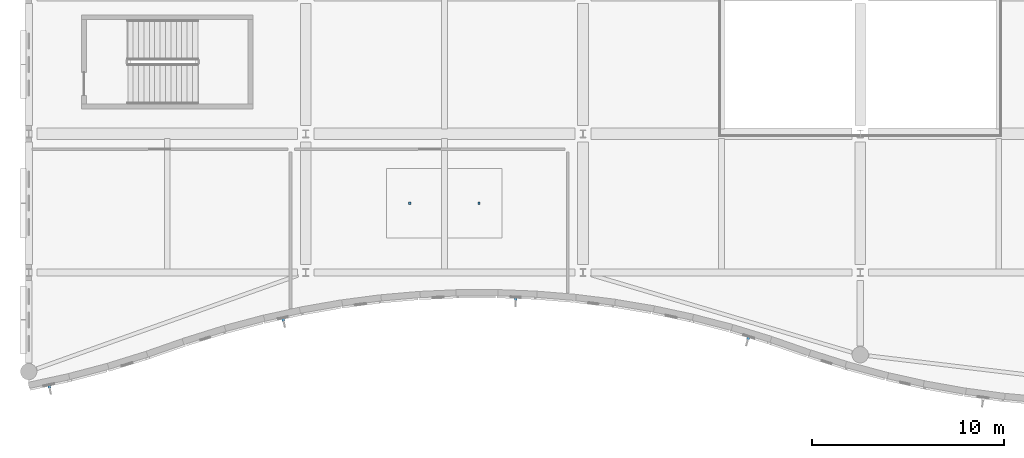
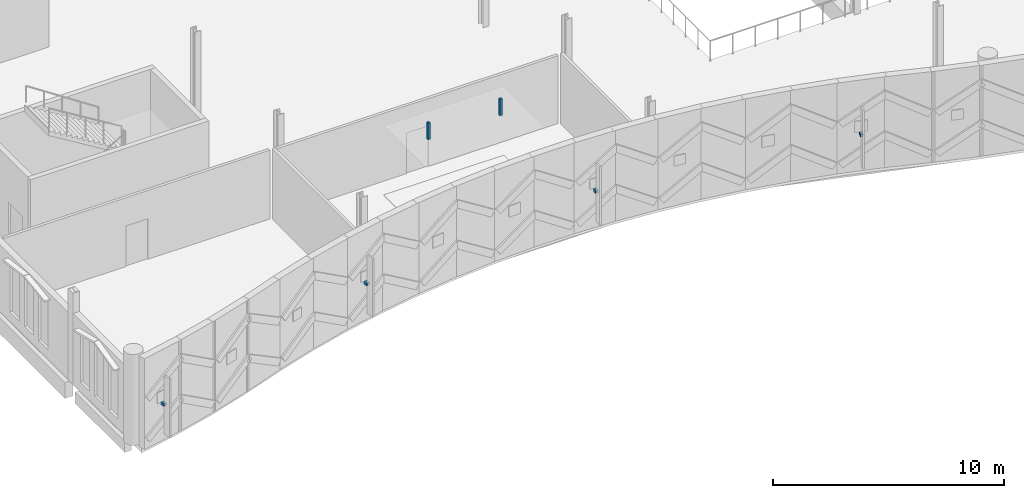
# One storey, part 173 of 220: 6 discrete accessories.
"""IFC4 building model written with IfcOpenShell, lengths in metres."""

from ifc_helpers import new_model, si_unit, direction, frame, origin, origin_2d, place, context, subcontext, project, spatial, rectangle, extrude, material, type_object, element, save


model = new_model("IFC4")

# Units and contexts
model_context = context("Model", 3, precision=1e-05, world=origin(), true_north=direction((0.0, 1.0)))
body_context = subcontext(model_context, "Body", "Model", "MODEL_VIEW")
ifc_project = project(units=[si_unit("LENGTHUNIT", "METRE"), si_unit("AREAUNIT", "SQUARE_METRE"), si_unit("VOLUMEUNIT", "CUBIC_METRE"), si_unit("PLANEANGLEUNIT", "RADIAN"), si_unit("MASSUNIT", "GRAM", prefix="KILO")], contexts=[model_context])

# Site, building, storey
site_placement = place(None, origin())
site = spatial("IfcSite", under=ifc_project, at=site_placement, CompositionType="ELEMENT")
building_placement = place(site_placement, origin())
building = spatial("IfcBuilding", under=site, at=building_placement, Name="Cendralis Lancet Convention Centre", CompositionType="ELEMENT")
storey_placement = place(building_placement, frame((0.0, 0.0, 5.39990234375)))
storey = spatial("IfcBuildingStorey", under=building, at=storey_placement, Name="L01", CompositionType="ELEMENT", Elevation=5.39990234375)

# Discrete accessories
ifc_material = material(Name="Steel S355", Category="steel")
discrete_accessory_type_1 = type_object("IfcDiscreteAccessoryType", Name="ARC-BRK-CLG", PredefinedType="BRACKET", material=ifc_material)
for number, where, z_axis, x_axis, name in (
    (1, (19.800048828125, 10.800048828125, 3.650390625), (0.0, 0.0, 1.0), (1.0, 0.0, 0.0), "L01 Ceiling Suspension Bracket #05-1"),
    (2, (23.39990234375, 10.800048828125, 3.650390625), (0.0, 0.0, 1.0), (1.0, 0.0, 0.0), "L01 Ceiling Suspension Bracket #05-2"),
):
    element("IfcDiscreteAccessory", number, at=place(storey_placement, frame(where, z_axis=z_axis, x_axis=x_axis)), inside=storey, type_object=discrete_accessory_type_1, Name=name, PredefinedType="BRACKET", context=body_context, shape_type="SweptSolid", body=[
        extrude(rectangle(XDim=0.1201171875, YDim=0.1201171875, at=origin_2d()), origin(), (0.0, 0.0, 1.0), 0.889892578125),
    ])
discrete_accessory_type_2 = type_object("IfcDiscreteAccessoryType", Name="ARC-BRK-FIN", PredefinedType="BRACKET", material=ifc_material)
for number, where, z_axis, x_axis, name in (
    (3, (1.0673828125, 1.289794921875, 1.93017578125), (0.0, 0.0, 1.0), (0.977397448997, 0.211410091278, 0.0), "Facade Fin Bracket BK-FIN #001"),
    (4, (13.2197265625, 4.7666015625, 1.93017578125), (0.0, 0.0, 1.0), (0.976717230975, 0.214530768695, 0.0), "Facade Fin Bracket BK-FIN #003"),
    (5, (25.305419921875, 5.84375, 1.93017578125), (0.0, 0.0, 1.0), (0.999239960688, -0.038980776845, 0.0), "Facade Fin Bracket BK-FIN #005"),
    (6, (37.390625, 3.80029296875, 1.93017578125), (0.0, 0.0, 1.0), (0.95645261608, -0.29188763796, 0.0), "Facade Fin Bracket BK-FIN #007"),
):
    element("IfcDiscreteAccessory", number, at=place(storey_placement, frame(where, z_axis=z_axis, x_axis=x_axis)), inside=storey, type_object=discrete_accessory_type_2, Name=name, PredefinedType="BRACKET", context=body_context, shape_type="SweptSolid", body=[
        extrude(rectangle(XDim=0.139892578125, YDim=0.219970703125, at=origin_2d()), origin(), (0.0, 0.0, 1.0), 0.139892578125),
    ])

save(model, "model.ifc")
